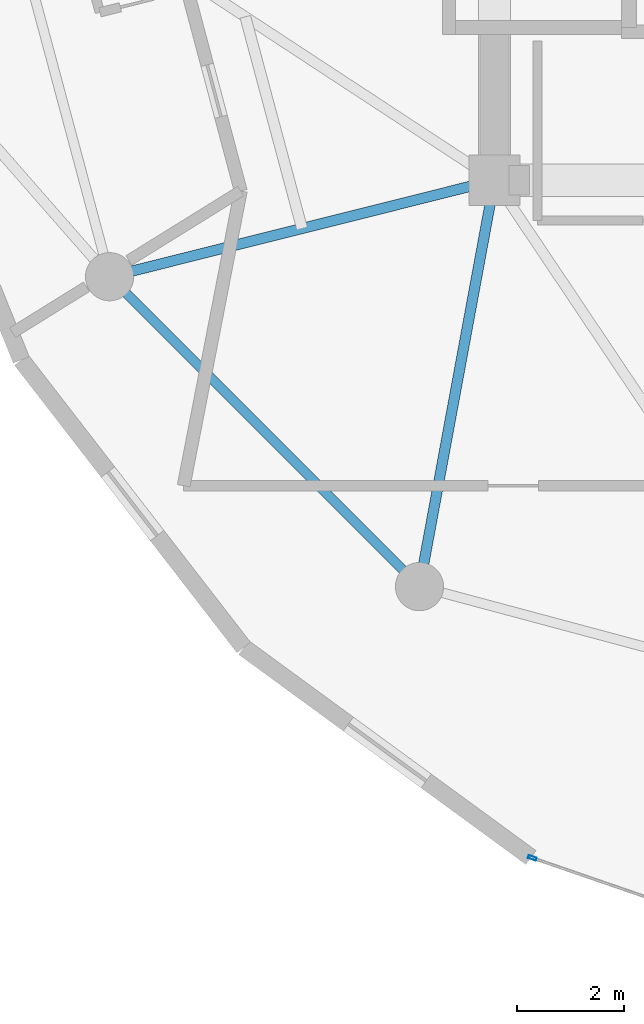
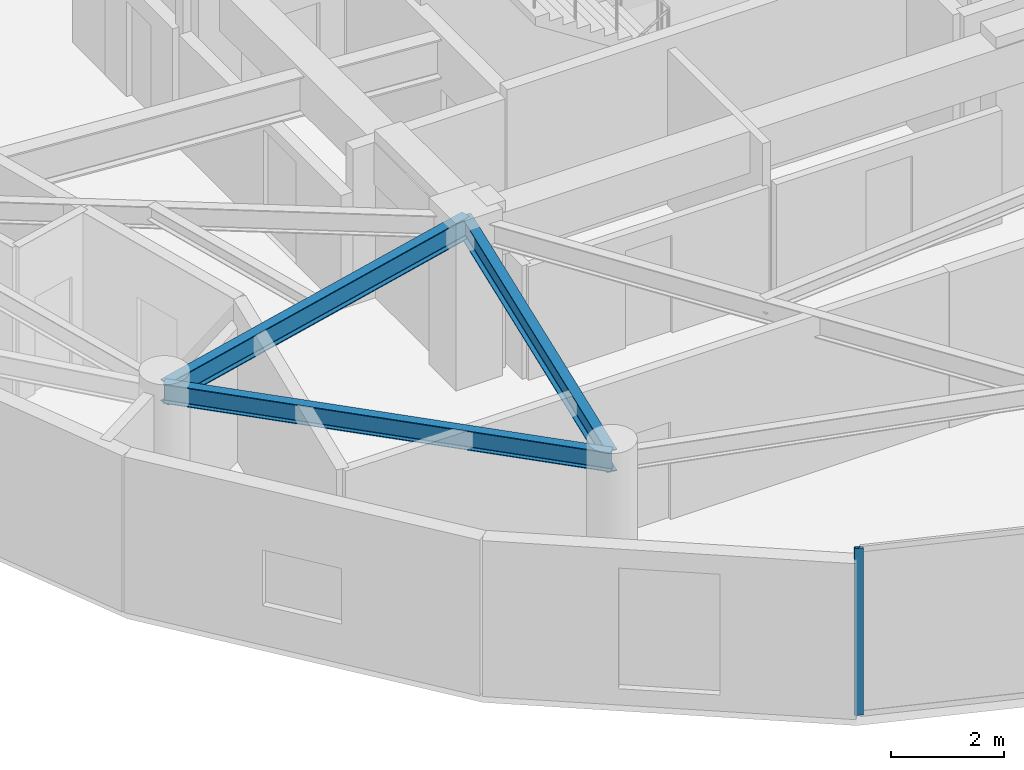
# One storey, part 2 of 17: 3 beams, 1 member, 1 element without a shape of its own.
"""IFC4 building model written with IfcOpenShell, lengths in metres."""

from ifc_helpers import new_model, si_unit, direction, frame, origin, origin_2d, place, context, subcontext, project, spatial, hollow_rectangle, i_section, extrude, source, transform, mapped, material, layer, layer_set, material_profile, profile_set, type_object, element, aggregate, save


model = new_model("IFC4")

# Units and contexts
model_context = context("Model", 3, precision=1e-05, world=origin(), true_north=direction((0.0, 1.0)))
body_context = subcontext(model_context, "Body", "Model", "MODEL_VIEW")
ifc_project = project(units=[si_unit("LENGTHUNIT", "METRE"), si_unit("AREAUNIT", "SQUARE_METRE"), si_unit("VOLUMEUNIT", "CUBIC_METRE"), si_unit("PLANEANGLEUNIT", "RADIAN"), si_unit("MASSUNIT", "GRAM", prefix="KILO")], contexts=[model_context])

# Site, building, storey
site_placement = place(None, origin())
site = spatial("IfcSite", under=ifc_project, at=site_placement, CompositionType="ELEMENT")
building_placement = place(site_placement, origin())
building = spatial("IfcBuilding", under=site, at=building_placement, Name="Solvirekh Grand Hotel", CompositionType="ELEMENT")
storey_placement = place(building_placement, frame((0.0, 0.0, 191.199951171875)))
storey = spatial("IfcBuildingStorey", under=building, at=storey_placement, Name="L49", CompositionType="ELEMENT", Elevation=191.199951171875)

# Beams
ifc_material_1 = material(Name="Steel S355", Category="steel")
ifc_material_profile_1 = material_profile(ifc_material_1, i_section(OverallWidth=0.194091796875, OverallDepth=0.468994140625, WebThickness=0.010986328125, FlangeThickness=0.01904296875, FilletRadius=0.012939453125, at=origin_2d()), Name="W460X106")
ifc_profile_set_1 = profile_set([ifc_material_profile_1], Name="Steel S355")
beam_type_1 = type_object("IfcBeamType", Name="Beam_Radial_W460H", PredefinedType="BEAM", material=ifc_profile_set_1)
beam_1_placement = place(storey_placement, frame((-6.5, -6.10009765625, 3.1259765625), z_axis=(-0.970014367692, -0.243047580675, 0.0), x_axis=(0.243047580675, -0.970014367692, 0.0)))
element("IfcBeam", 1, at=beam_1_placement, inside=storey, type_object=beam_type_1, Name="L49 radial floor beam R08", PredefinedType="BEAM", context=body_context, shape_type="SweptSolid", body=[
    extrude(i_section(OverallWidth=0.194091796875, OverallDepth=0.468994140625, WebThickness=0.010986328125, FlangeThickness=0.01904296875, FilletRadius=0.012939453125, at=origin_2d()), origin(), (0.0, 0.0, 1.0), 7.4052734375),
])
beam_2_placement = place(storey_placement, frame((-6.5, -6.10009765625, 3.1259765625), z_axis=(-0.181542769111, -0.983383049978, 0.0), x_axis=(0.983383049978, -0.181542769111, 0.0)))
element("IfcBeam", 2, at=beam_2_placement, inside=storey, type_object=beam_type_1, Name="L49 radial floor beam R09", PredefinedType="BEAM", context=body_context, shape_type="SweptSolid", body=[
    extrude(i_section(OverallWidth=0.194091796875, OverallDepth=0.468994140625, WebThickness=0.010986328125, FlangeThickness=0.01904296875, FilletRadius=0.012939453125, at=origin_2d()), origin(), (0.0, 0.0, 1.0), 7.711181640625),
])
ifc_material_profile_2 = material_profile(ifc_material_1, i_section(OverallWidth=0.180908203125, OverallDepth=0.4169921875, WebThickness=0.010009765625, FlangeThickness=0.01611328125, FilletRadius=0.011962890625, at=origin_2d()), Name="W410X85")
ifc_profile_set_2 = profile_set([ifc_material_profile_2], Name="Steel S355")
beam_type_2 = type_object("IfcBeamType", Name="Spandrel_Ring_W410", PredefinedType="SPANDREL", material=ifc_profile_set_2)
beam_3_placement = place(storey_placement, frame((-13.68310546875, -7.89990234375, 3.152099609375), z_axis=(0.707106781187, -0.707106781187, 0.0), x_axis=(0.707106781187, 0.707106781187, 0.0)))
element("IfcBeam", 3, at=beam_3_placement, inside=storey, type_object=beam_type_2, Name="L49 perimeter spandrel beam 8", PredefinedType="SPANDREL", context=body_context, shape_type="SweptSolid", body=[
    extrude(i_section(OverallWidth=0.180908203125, OverallDepth=0.4169921875, WebThickness=0.010009765625, FlangeThickness=0.01611328125, FilletRadius=0.011962890625, at=origin_2d()), origin(), (0.0, 0.0, 1.0), 8.1787109375),
])

# Curtain wall, member
ifc_material_2 = material(Name="Anodized Bronze Aluminium 6063-T6", Category="aluminium")
ifc_layer = layer(ifc_material_2, 0.159912109375)
ifc_layer_set = layer_set([ifc_layer], Name="Anodized Bronze Aluminium 6063-T6")
curtain_wall_type = type_object("IfcCurtainWallType", Name="CW_Sys4_HighZoneFlushBronzeCW", PredefinedType="NOTDEFINED", material=ifc_layer_set)
curtain_wall_placement = place(storey_placement, origin())
curtain_wall = element("IfcCurtainWall", 4, at=curtain_wall_placement, inside=storey, type_object=curtain_wall_type, Name="L49 unitised bronze-glass curtain wall CW-L49-C18", PredefinedType="NOTDEFINED")
ifc_material_profile_3 = material_profile(ifc_material_2, hollow_rectangle(XDim=0.06005859375, YDim=0.159912109375, WallThickness=0.0048828125, at=origin_2d()), Name="ALU RHS 160X60X5")
ifc_profile_set_3 = profile_set([ifc_material_profile_3], Name="Anodized Bronze Aluminium 6063-T6")
member_type = type_object("IfcMemberType", Name="CWMullion_Sys4", PredefinedType="MULLION", material=ifc_profile_set_3)
shared_shape = source(origin(), body_context, "Body", "SweptSolid", [
    extrude(hollow_rectangle(XDim=0.06005859375, YDim=0.159912109375, WallThickness=0.0048828125, at=origin_2d()), origin(), (0.0, 0.0, 1.0), 3.60009765625),
])
member_placement = place(storey_placement, frame((-5.793701171875, -18.747802734375, 0.0), z_axis=(0.0, 0.0, 1.0), x_axis=(0.325884557137, 0.945409570197, 0.0)))
member = element("IfcMember", 5, at=member_placement, type_object=member_type, Name="U04 mullion 1", PredefinedType="MULLION", context=body_context, shape_type="MappedRepresentation", body=[
    mapped(shared_shape, transform((0.0, 0.0, 0.0), x_axis=(1.0, 0.0, 0.0), y_axis=(0.0, 1.0, 0.0), z_axis=(0.0, 0.0, 1.0), scale=1.0)),
])
aggregate(curtain_wall, [member])

save(model, "model.ifc")
